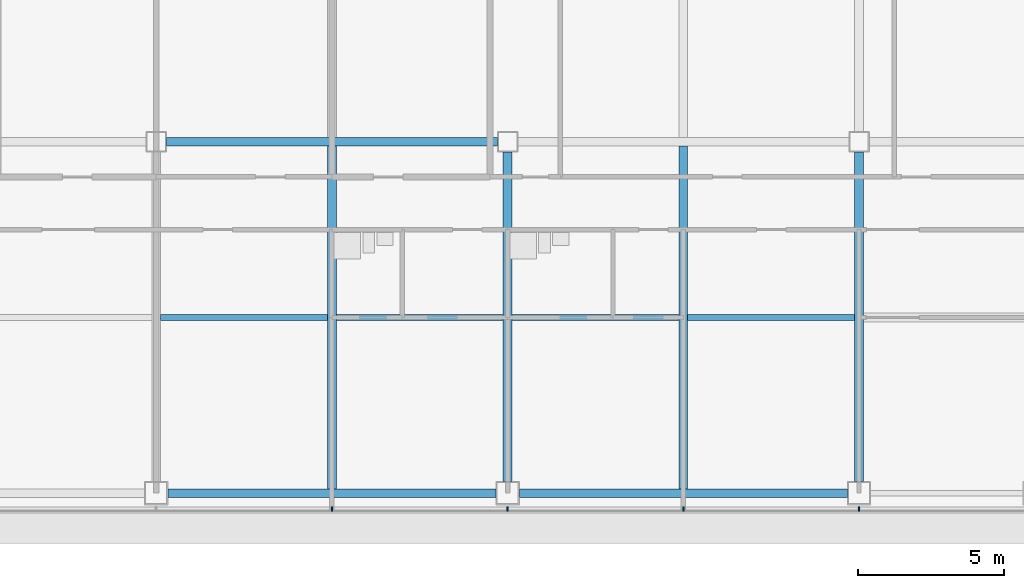
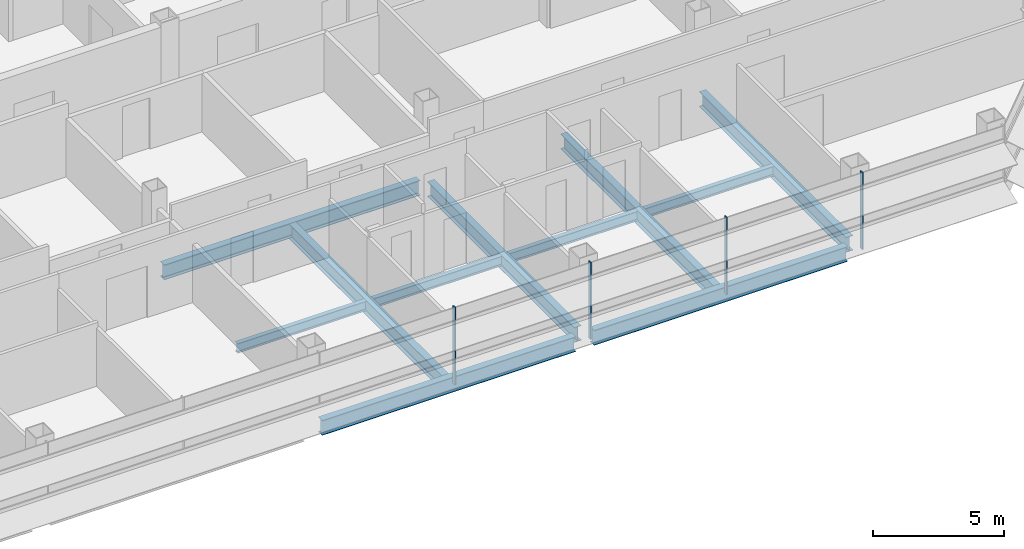
# One storey, part 8 of 25: 11 beams, 4 members, 1 element without a shape of its own.
"""IFC4 building model written with IfcOpenShell, lengths in metres."""

import ifcopenshell
import ifcopenshell.guid

model = None  # the IFC model being written
_history = None  # IfcOwnerHistory: only IFC2X3 demands one
_inside = {}  # id of a spatial element -> (the spatial element, [elements in it])
_under = {}  # id of a project, library or spatial element -> (it, [spatial elements below it])
_declared = {}  # id of a project -> (the project, [libraries it declares])
_typed = {}  # id of a type object -> (the type object, [elements of that type])
_made_of = {}  # id of a material, layer set ... -> (it, [elements and type objects made of it])


def new_model(schema):
    """Start an empty IFC model of exactly this schema.

    Asked for "IFC4X3", IfcOpenShell would pick the latest addendum, in which some entities
    have other attributes; the version numbers below select the first issue.
    IFC2X3 requires an IfcOwnerHistory on every rooted entity: one is made here for all.
    """
    global model, _history
    if schema == "IFC4X3":
        model = ifcopenshell.file(schema_version=(4, 3, 0, 0))
    else:
        model = ifcopenshell.file(schema=schema)
    _inside.clear()
    _under.clear()
    _declared.clear()
    _typed.clear()
    _made_of.clear()
    _history = None
    if model.schema == "IFC2X3":
        org = make("IfcOrganization", Name="unknown")
        user = make(
            "IfcPersonAndOrganization",
            ThePerson=make("IfcPerson", FamilyName="unknown"),
            TheOrganization=org,
        )
        app = make(
            "IfcApplication",
            ApplicationDeveloper=org,
            Version="unknown",
            ApplicationFullName="unknown",
            ApplicationIdentifier="unknown",
        )
        _history = make(
            "IfcOwnerHistory",
            OwningUser=user,
            OwningApplication=app,
            ChangeAction="ADDED",
            CreationDate=0,
        )
    return model


def make(cls, **values):
    """One entity of the class cls with the attributes given. An attribute that is None is left unset."""
    return model.create_entity(
        cls, **{name: value for name, value in values.items() if value is not None}
    )


def rooted(cls, **values):
    """An entity with a GlobalId (a new one), such as an element, a storey or a relation."""
    return make(cls, GlobalId=ifcopenshell.guid.new(), OwnerHistory=_history, **values)


def si_unit(unit_type, name, prefix=None):
    """IfcSIUnit, for example si_unit("LENGTHUNIT", "METRE", prefix="MILLI")."""
    return make("IfcSIUnit", UnitType=unit_type, Prefix=prefix, Name=name)


def assignment(units):
    """IfcUnitAssignment: the units of a project."""
    return None if units is None else make("IfcUnitAssignment", Units=units)


def point(xyz):
    """IfcCartesianPoint."""
    return None if xyz is None else make("IfcCartesianPoint", Coordinates=xyz)


def direction(xyz):
    """IfcDirection."""
    return None if xyz is None else make("IfcDirection", DirectionRatios=xyz)


def frame(location, z_axis=None, x_axis=None):
    """IfcAxis2Placement3D, a coordinate frame: its origin and axes. An axis left out is left unset."""
    return make(
        "IfcAxis2Placement3D",
        Location=point(location),
        Axis=direction(z_axis),
        RefDirection=direction(x_axis),
    )


def frame_2d(location, x_axis=None):
    """IfcAxis2Placement2D, a coordinate frame in the plane: its origin and x axis."""
    return make(
        "IfcAxis2Placement2D", Location=point(location), RefDirection=direction(x_axis)
    )


def origin():
    """The frame at (0, 0, 0) with its axes left unset."""
    return frame((0.0, 0.0, 0.0))


def origin_2d():
    """The frame at (0, 0) in the plane with its x axis left unset."""
    return frame_2d((0.0, 0.0))


def place(relative_to, where):
    """IfcLocalPlacement: puts the frame where relative to a parent placement (None: the world)."""
    return make(
        "IfcLocalPlacement", PlacementRelTo=relative_to, RelativePlacement=where
    )


def context(
    kind, dimensions, precision=None, world=None, true_north=None, identifier=None
):
    """IfcGeometricRepresentationContext, for example the 3D "Model" context."""
    return make(
        "IfcGeometricRepresentationContext",
        ContextIdentifier=identifier,
        ContextType=kind,
        CoordinateSpaceDimension=dimensions,
        Precision=precision,
        WorldCoordinateSystem=world,
        TrueNorth=true_north,
    )


def subcontext(parent, identifier, kind, view, scale=None):
    """IfcGeometricRepresentationSubContext, for example "Body" below "Model"."""
    return make(
        "IfcGeometricRepresentationSubContext",
        ContextIdentifier=identifier,
        ContextType=kind,
        ParentContext=parent,
        TargetScale=scale,
        TargetView=view,
    )


def project(units=None, contexts=None):
    """IfcProject with its units and contexts."""
    return rooted(
        "IfcProject",
        Name="project",
        RepresentationContexts=contexts,
        UnitsInContext=assignment(units),
    )


def spatial(cls, under=None, at=None, **own):
    """A site, building, storey or space (cls), placed at a placement, below another one or the project."""
    s = rooted(cls, ObjectPlacement=at, **own)
    if under is not None:
        _under.setdefault(under.id(), (under, []))[1].append(s)
    return s


def profile(cls, at=None, kind="AREA", **sizes):
    """A parametric profile (cls). Its sizes go by their IFC names, for example OverallWidth=200.0."""
    return make(cls, ProfileType=kind, Position=at, **sizes)


def rectangle(**sizes):
    """IfcRectangleProfileDef."""
    return profile("IfcRectangleProfileDef", **sizes)


def i_section(**sizes):
    """IfcIShapeProfileDef."""
    return profile("IfcIShapeProfileDef", **sizes)


def extrude(swept, where, along, depth):
    """IfcExtrudedAreaSolid: the profile swept, set in the frame where, extruded along a direction by depth."""
    return make(
        "IfcExtrudedAreaSolid",
        SweptArea=swept,
        Position=where,
        ExtrudedDirection=direction(along),
        Depth=depth,
    )


def shape(context_of_items, identifier, shape_type, items):
    """IfcShapeRepresentation: the items that make up one representation, for example the "Body"."""
    return make(
        "IfcShapeRepresentation",
        ContextOfItems=context_of_items,
        RepresentationIdentifier=identifier,
        RepresentationType=shape_type,
        Items=items,
    )


def material(Name=None, Category=None):
    """IfcMaterial."""
    return make("IfcMaterial", Name=Name, Category=Category)


def material_profile(
    of_material, cross_section, Name=None, Category=None, Priority=None
):
    """IfcMaterialProfile: a cross section and its material."""
    return make(
        "IfcMaterialProfile",
        Name=Name,
        Material=of_material,
        Profile=cross_section,
        Priority=Priority,
        Category=Category,
    )


def profile_set(profiles, Name=None, composite=None):
    """IfcMaterialProfileSet."""
    return make(
        "IfcMaterialProfileSet",
        Name=Name,
        MaterialProfiles=profiles,
        CompositeProfile=composite,
    )


def made_of(thing, what):
    """Note that an element or type object is made of a material, layer set ...; save() writes the relation."""
    if what is not None:
        _made_of.setdefault(what.id(), (what, []))[1].append(thing)
    return thing


def type_object(cls, material=None, **own):
    """A type object (cls), such as IfcWallType, which elements share."""
    return made_of(rooted(cls, **own), material)


def element(
    cls,
    number,
    at=None,
    inside=None,
    cuts=None,
    type_object=None,
    material=None,
    context=None,
    identifier="Body",
    shape_type=None,
    held_by="IfcProductDefinitionShape",
    body=None,
    shapes=None,
    **own,
):
    """One element of the class cls, such as IfcWall. Its Tag is "e" and its number.

    at: its placement. inside: the storey or other place that contains it. cuts: it is an
    opening in that element (IfcRelVoidsElement). A single representation is given by context,
    identifier, shape_type and body (its items); several are given by shapes. held_by: the class
    of the entity that holds the representations. save() writes the other relations.
    """
    e = rooted(cls, Tag="e%d" % number, ObjectPlacement=at, **own)
    if body is not None:
        shapes = [shape(context, identifier, shape_type, body)]
    if shapes is not None:
        e.Representation = make(held_by, Representations=shapes)
    if inside is not None:
        _inside.setdefault(inside.id(), (inside, []))[1].append(e)
    if cuts is not None:
        rooted(
            "IfcRelVoidsElement", RelatingBuildingElement=cuts, RelatedOpeningElement=e
        )
    if type_object is not None:
        _typed.setdefault(type_object.id(), (type_object, []))[1].append(e)
    return made_of(e, material)


def aggregate(whole, parts):
    """IfcRelAggregates: a whole, such as a stair, and the parts it consists of."""
    return rooted("IfcRelAggregates", RelatingObject=whole, RelatedObjects=parts)


def save(model, path):
    """Write the relations noted so far, then the file.

    IfcRelAggregates (storeys below a building ...), IfcRelContainedInSpatialStructure (elements
    in a storey), IfcRelDefinesByType, IfcRelAssociatesMaterial and IfcRelDeclares: one each for
    every whole, place, type object, material and project.
    """
    for whole, parts in _under.values():
        aggregate(whole, parts)
    for where, things in _inside.values():
        rooted(
            "IfcRelContainedInSpatialStructure",
            RelatedElements=things,
            RelatingStructure=where,
        )
    for kind, things in _typed.values():
        rooted("IfcRelDefinesByType", RelatedObjects=things, RelatingType=kind)
    for what, things in _made_of.values():
        rooted("IfcRelAssociatesMaterial", RelatedObjects=things, RelatingMaterial=what)
    for by, libraries in _declared.values():
        rooted("IfcRelDeclares", RelatingContext=by, RelatedDefinitions=libraries)
    model.write(path)


model = new_model("IFC4")

# Units and contexts
model_context = context("Model", 3, precision=1e-05, world=origin(), true_north=direction((0.0, 1.0)))
body_context = subcontext(model_context, "Body", "Model", "MODEL_VIEW")
ifc_project = project(units=[si_unit("LENGTHUNIT", "METRE"), si_unit("AREAUNIT", "SQUARE_METRE"), si_unit("VOLUMEUNIT", "CUBIC_METRE"), si_unit("PLANEANGLEUNIT", "RADIAN"), si_unit("MASSUNIT", "GRAM", prefix="KILO")], contexts=[model_context])

# Site, building, storey
site_placement = place(None, origin())
site = spatial("IfcSite", under=ifc_project, at=site_placement, CompositionType="ELEMENT")
building_placement = place(site_placement, origin())
building = spatial("IfcBuilding", under=site, at=building_placement, Name="Sorahane Residences", CompositionType="ELEMENT")
storey_placement = place(building_placement, frame((0.0, 0.0, 126.800048828125)))
storey = spatial("IfcBuildingStorey", under=building, at=storey_placement, Name="L28", CompositionType="ELEMENT", Elevation=126.800048828125)

# Curtain wall, members
ifc_material_1 = material(Name="Dark low-e glass and black anodised aluminium", Category="aluminium")
curtain_wall_type = type_object("IfcCurtainWallType", Name="Curtain wall CW-1 Typical unitised wall", PredefinedType="NOTDEFINED", material=ifc_material_1)
curtain_wall_placement = place(storey_placement, origin())
curtain_wall = element("IfcCurtainWall", 1, at=curtain_wall_placement, inside=storey, type_object=curtain_wall_type, Name="CW-1 curtain wall L28 S1", PredefinedType="NOTDEFINED")
ifc_material_2 = material(Name="Black anodised aluminium", Category="aluminium")
ifc_material_profile_1 = material_profile(ifc_material_2, rectangle(XDim=0.159912109375, YDim=0.050048828125, at=origin_2d()), Name="Curtain wall mullion CW-1 black anodised aluminium 50x160")
ifc_profile_set_1 = profile_set([ifc_material_profile_1], Name="Black anodised aluminium")
member_type = type_object("IfcMemberType", Name="Curtain wall mullion CW-1 black anodised aluminium 50x160", PredefinedType="MULLION", material=ifc_profile_set_1)
member_1_placement = place(storey_placement, frame((30.0, -0.5400390625, -0.179931640625), z_axis=(0.0, 0.0, 1.0), x_axis=(0.0, -1.0, 0.0)))
member_1 = element("IfcMember", 2, at=member_1_placement, type_object=member_type, Name="CW-1 mullion L28 S1.6", PredefinedType="MULLION", context=body_context, shape_type="SweptSolid", body=[
    extrude(rectangle(XDim=0.159912109375, YDim=0.050048828125, at=origin_2d()), origin(), (0.0, 0.0, 1.0), 3.599853515625),
])
member_2_placement = place(storey_placement, frame((36.0, -0.5400390625, -0.179931640625), z_axis=(0.0, 0.0, 1.0), x_axis=(0.0, -1.0, 0.0)))
member_2 = element("IfcMember", 3, at=member_2_placement, type_object=member_type, Name="CW-1 mullion L28 S1.7", PredefinedType="MULLION", context=body_context, shape_type="SweptSolid", body=[
    extrude(rectangle(XDim=0.159912109375, YDim=0.050048828125, at=origin_2d()), origin(), (0.0, 0.0, 1.0), 3.599853515625),
])
member_3_placement = place(storey_placement, frame((42.0, -0.5400390625, -0.179931640625), z_axis=(0.0, 0.0, 1.0), x_axis=(0.0, -1.0, 0.0)))
member_3 = element("IfcMember", 4, at=member_3_placement, type_object=member_type, Name="CW-1 mullion L28 S1.8", PredefinedType="MULLION", context=body_context, shape_type="SweptSolid", body=[
    extrude(rectangle(XDim=0.159912109375, YDim=0.050048828125, at=origin_2d()), origin(), (0.0, 0.0, 1.0), 3.599853515625),
])
member_4_placement = place(storey_placement, frame((48.0, -0.5400390625, -0.179931640625), z_axis=(0.0, 0.0, 1.0), x_axis=(0.0, -1.0, 0.0)))
member_4 = element("IfcMember", 5, at=member_4_placement, type_object=member_type, Name="CW-1 mullion L28 S1.9", PredefinedType="MULLION", context=body_context, shape_type="SweptSolid", body=[
    extrude(rectangle(XDim=0.159912109375, YDim=0.050048828125, at=origin_2d()), origin(), (0.0, 0.0, 1.0), 3.599853515625),
])
aggregate(curtain_wall, [member_1, member_2, member_3, member_4])

# Beams
ifc_material_3 = material(Name="Steel Q355B", Category="steel")
ifc_material_profile_2 = material_profile(ifc_material_3, i_section(OverallWidth=0.199951171875, OverallDepth=0.449951171875, WebThickness=0.009033203125, FlangeThickness=0.013916015625, FilletRadius=0.02001953125, at=origin_2d()), Name="HN 450x200x9x14")
ifc_profile_set_2 = profile_set([ifc_material_profile_2], Name="Steel Q355B")
beam_type_1 = type_object("IfcBeamType", Name="Steel floor beam HN 450x200x9x14 Q355B", PredefinedType="BEAM", material=ifc_profile_set_2)
for number, where, z_axis, x_axis, name in (
    (6, (24.14990234375, 6.0, -0.405029296875), (1.0, 0.0, 0.0), (0.0, 1.0, 0.0), "Beam L28 073"),
    (7, (30.14990234375, 6.0, -0.405029296875), (1.0, 0.0, 0.0), (0.0, 1.0, 0.0), "Beam L28 074"),
    (8, (36.14990234375, 6.0, -0.405029296875), (1.0, 0.0, 0.0), (0.0, 1.0, 0.0), "Beam L28 075"),
    (9, (42.14990234375, 6.0, -0.405029296875), (1.0, 0.0, 0.0), (0.0, 1.0, 0.0), "Beam L28 076"),
):
    element("IfcBeam", number, at=place(storey_placement, frame(where, z_axis=z_axis, x_axis=x_axis)), inside=storey, type_object=beam_type_1, Name=name, PredefinedType="BEAM", context=body_context, shape_type="SweptSolid", body=[
        extrude(i_section(OverallWidth=0.199951171875, OverallDepth=0.449951171875, WebThickness=0.009033203125, FlangeThickness=0.013916015625, FilletRadius=0.02001953125, at=origin_2d()), origin(), (0.0, 0.0, 1.0), 5.7001953125),
    ])
ifc_material_4 = material(Name="Steel Q355B", Category="steel")
ifc_material_profile_3 = material_profile(ifc_material_4, i_section(OverallWidth=0.300048828125, OverallDepth=0.699951171875, WebThickness=0.012939453125, FlangeThickness=0.02392578125, FilletRadius=0.028076171875, at=origin_2d()), Name="HN 700x300x13x24")
ifc_profile_set_3 = profile_set([ifc_material_profile_3], Name="Steel Q355B")
beam_type_2 = type_object("IfcBeamType", Name="Steel floor beam HN 700x300x13x24 Q355B", PredefinedType="BEAM", material=ifc_profile_set_3)
for number, where, z_axis, x_axis, name in (
    (10, (24.39990234375, 0.0, -0.530029296875), (1.0, 0.0, 0.0), (0.0, 1.0, 0.0), "Beam L28 002"),
    (11, (36.39990234375, 0.0, -0.530029296875), (1.0, 0.0, 0.0), (0.0, 1.0, 0.0), "Beam L28 003"),
):
    element("IfcBeam", number, at=place(storey_placement, frame(where, z_axis=z_axis, x_axis=x_axis)), inside=storey, type_object=beam_type_2, Name=name, PredefinedType="BEAM", context=body_context, shape_type="SweptSolid", body=[
        extrude(i_section(OverallWidth=0.300048828125, OverallDepth=0.699951171875, WebThickness=0.012939453125, FlangeThickness=0.02392578125, FilletRadius=0.028076171875, at=origin_2d()), origin(), (0.0, 0.0, 1.0), 11.2001953125),
    ])
beam_1_placement = place(storey_placement, frame((24.35009765625, 12.0, -0.530029296875), z_axis=(1.0, 0.0, 0.0), x_axis=(0.0, 1.0, 0.0)))
element("IfcBeam", 12, at=beam_1_placement, inside=storey, type_object=beam_type_2, Name="Beam L28 008", PredefinedType="BEAM", context=body_context, shape_type="SweptSolid", body=[
    extrude(i_section(OverallWidth=0.300048828125, OverallDepth=0.699951171875, WebThickness=0.012939453125, FlangeThickness=0.02392578125, FilletRadius=0.028076171875, at=origin_2d()), origin(), (0.0, 0.0, 1.0), 11.2998046875),
])
beam_2_placement = place(storey_placement, frame((30.0, 0.14990234375, -0.530029296875), z_axis=(0.0, 1.0, 0.0), x_axis=(-1.0, 0.0, 0.0)))
element("IfcBeam", 13, at=beam_2_placement, inside=storey, type_object=beam_type_2, Name="Beam L28 044", PredefinedType="BEAM", context=body_context, shape_type="SweptSolid", body=[
    extrude(i_section(OverallWidth=0.300048828125, OverallDepth=0.699951171875, WebThickness=0.012939453125, FlangeThickness=0.02392578125, FilletRadius=0.028076171875, at=origin_2d()), origin(), (0.0, 0.0, 1.0), 11.7001953125),
])
beam_3_placement = place(storey_placement, frame((36.0, 0.39990234375, -0.530029296875), z_axis=(0.0, 1.0, 0.0), x_axis=(-1.0, 0.0, 0.0)))
element("IfcBeam", 14, at=beam_3_placement, inside=storey, type_object=beam_type_2, Name="Beam L28 050", PredefinedType="BEAM", context=body_context, shape_type="SweptSolid", body=[
    extrude(i_section(OverallWidth=0.300048828125, OverallDepth=0.699951171875, WebThickness=0.012939453125, FlangeThickness=0.02392578125, FilletRadius=0.028076171875, at=origin_2d()), origin(), (0.0, 0.0, 1.0), 11.25),
])
beam_4_placement = place(storey_placement, frame((42.0, 0.14990234375, -0.530029296875), z_axis=(0.0, 1.0, 0.0), x_axis=(-1.0, 0.0, 0.0)))
element("IfcBeam", 15, at=beam_4_placement, inside=storey, type_object=beam_type_2, Name="Beam L28 052", PredefinedType="BEAM", context=body_context, shape_type="SweptSolid", body=[
    extrude(i_section(OverallWidth=0.300048828125, OverallDepth=0.699951171875, WebThickness=0.012939453125, FlangeThickness=0.02392578125, FilletRadius=0.028076171875, at=origin_2d()), origin(), (0.0, 0.0, 1.0), 11.7001953125),
])
beam_5_placement = place(storey_placement, frame((48.0, 0.39990234375, -0.530029296875), z_axis=(0.0, 1.0, 0.0), x_axis=(-1.0, 0.0, 0.0)))
element("IfcBeam", 16, at=beam_5_placement, inside=storey, type_object=beam_type_2, Name="Beam L28 058", PredefinedType="BEAM", context=body_context, shape_type="SweptSolid", body=[
    extrude(i_section(OverallWidth=0.300048828125, OverallDepth=0.699951171875, WebThickness=0.012939453125, FlangeThickness=0.02392578125, FilletRadius=0.028076171875, at=origin_2d()), origin(), (0.0, 0.0, 1.0), 11.25),
])

save(model, "model.ifc")
